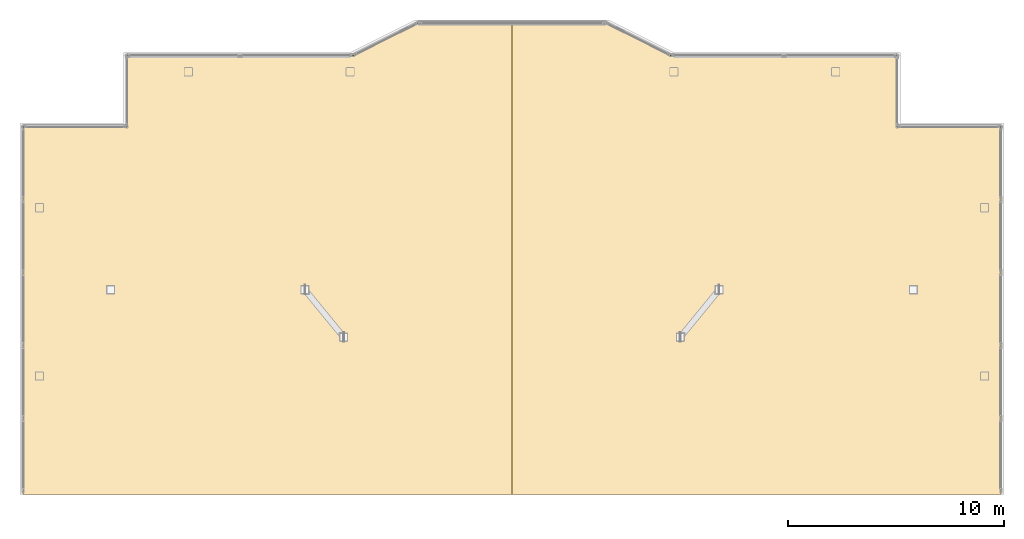
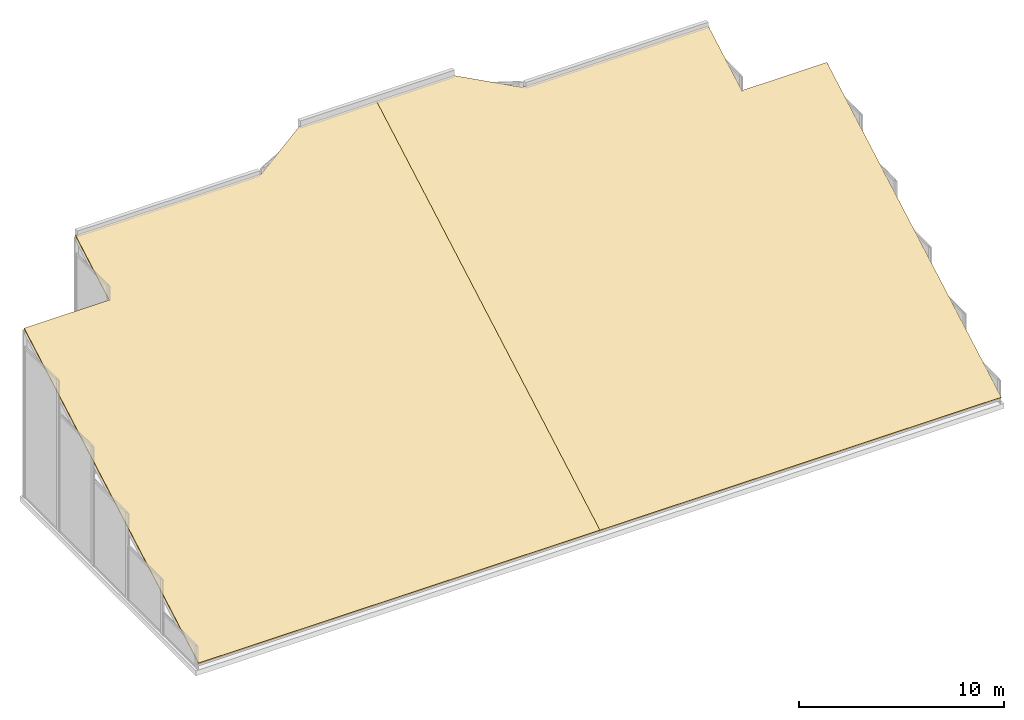
# One storey, part 11 of 11: 2 coverings.
"""IFC4 building model written with IfcOpenShell, lengths in metres."""

from ifc_helpers import new_model, si_unit, direction, frame, origin, place, context, subcontext, project, spatial, polyline, outline, extrude, material, layer, layer_set, type_object, element, save


model = new_model("IFC4")

# Units and contexts
model_context = context("Model", 3, precision=1e-05, world=origin(), true_north=direction((0.0, 1.0)))
body_context = subcontext(model_context, "Body", "Model", "MODEL_VIEW")
ifc_project = project(units=[si_unit("LENGTHUNIT", "METRE"), si_unit("AREAUNIT", "SQUARE_METRE"), si_unit("VOLUMEUNIT", "CUBIC_METRE"), si_unit("PLANEANGLEUNIT", "RADIAN"), si_unit("MASSUNIT", "GRAM", prefix="KILO")], contexts=[model_context])

# Site, building, storey
site_placement = place(None, origin())
site = spatial("IfcSite", under=ifc_project, at=site_placement, CompositionType="ELEMENT")
building_placement = place(site_placement, origin())
building = spatial("IfcBuilding", under=site, at=building_placement, Name="Tarnavaz Court Tower", CompositionType="ELEMENT")
storey_placement = place(building_placement, frame((0.0, 0.0, 304.050048828125)))
storey = spatial("IfcBuildingStorey", under=building, at=storey_placement, Name="C06", CompositionType="ELEMENT", Elevation=304.050048828125)

# Coverings
ifc_material = material(Name="TPO High-Albedo Waterproofing Membrane and Terracotta Tile", Category="masonry")
ifc_layer = layer(ifc_material, 0.06005859375)
ifc_layer_set = layer_set([ifc_layer], Name="TPO High-Albedo Waterproofing Membrane and Terracotta Tile")
covering_type = type_object("IfcCoveringType", Name="CV-ROOF-MEM", PredefinedType="ROOFING", material=ifc_layer_set)
covering_1_placement = place(storey_placement, frame((-22.64990234375, 17.550048828125, 10.060546875), z_axis=(1.490345e-06, -0.492279286097, 0.87043730646), x_axis=(0.999999999999, 7.33666e-07, -1.297252e-06)))
element("IfcCovering", 1, at=covering_1_placement, inside=storey, type_object=covering_type, Name="C06 Terracotta-Tiled Crown Roof Waterproofing Membrane W", PredefinedType="ROOFING", context=body_context, shape_type="SweptSolid", body=[
    extrude(outline(polyline([(0.0, 0.0), (4.799804687494669, 0.0), (4.799804687682541, 3.7911826011632335), (15.299804687670882, 3.7911826011632335), (18.299804687592705, 5.514482730578784), (22.649902343837873, 5.514482730578784), (22.649902343853576, -19.5879602378711), (1.2872787188481752e-10, -19.5879602378711), (0.0, 0.0)])), origin(), (0.0, 0.0, -1.0), 0.06005859375),
])
covering_2_placement = place(storey_placement, frame((4.35009765625, 22.35009765625, 12.775146484375), z_axis=(-1.490345e-06, -0.492279286097, 0.87043730646), x_axis=(0.867118541644, -0.433567052897, -0.245204089238)))
element("IfcCovering", 2, at=covering_2_placement, inside=storey, type_object=covering_type, Name="C06 Terracotta-Tiled Crown Roof Waterproofing Membrane E", PredefinedType="ROOFING", context=body_context, shape_type="SweptSolid", body=[
    extrude(outline(polyline([(0.0, 0.0), (3.4597345758850606, -2.220446049250313e-16), (12.564479263152261, 5.230069232757329), (14.452874261232383, 1.9426645046186115), (18.614873902035797, 4.333456011222246), (28.371672775512497, -12.651627504113886), (8.731522486809762, -23.933585349161984), (-3.772050335698636, -2.1667916106136094), (0.0, 0.0)])), origin(), (0.0, 0.0, -1.0), 0.06005859375),
])

save(model, "model.ifc")
